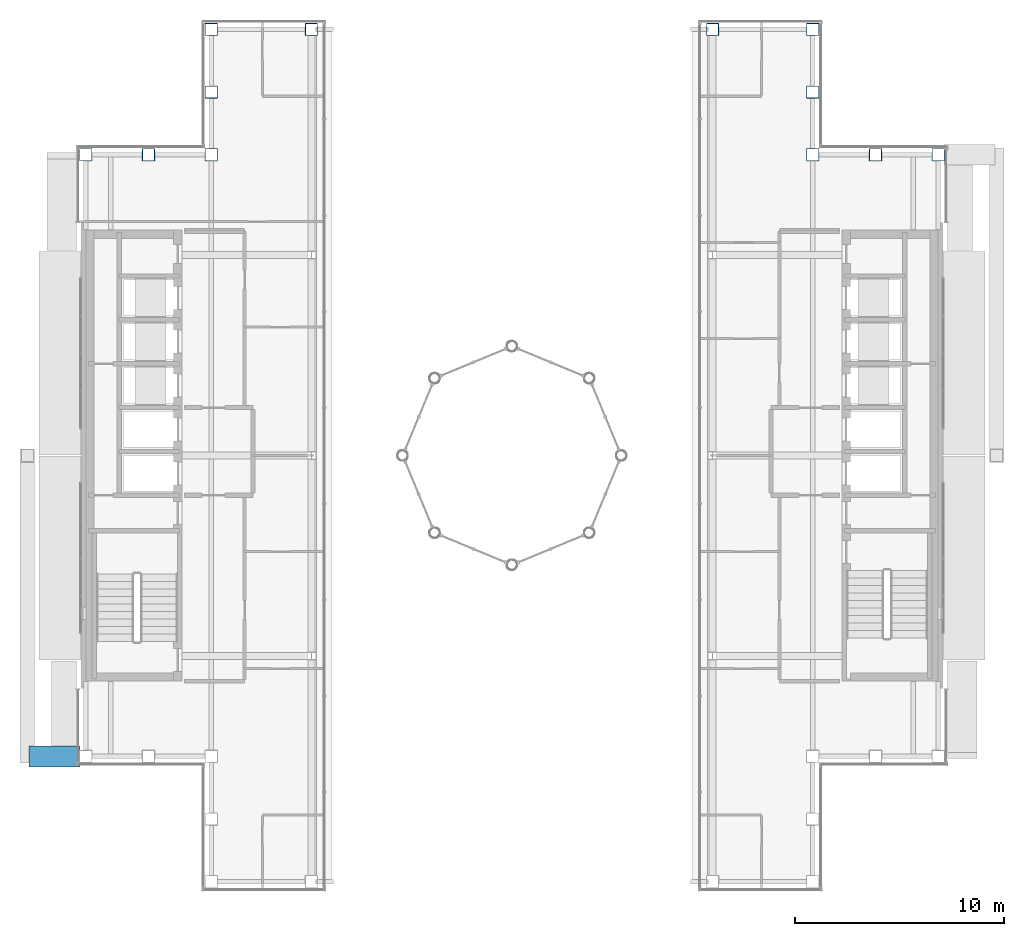
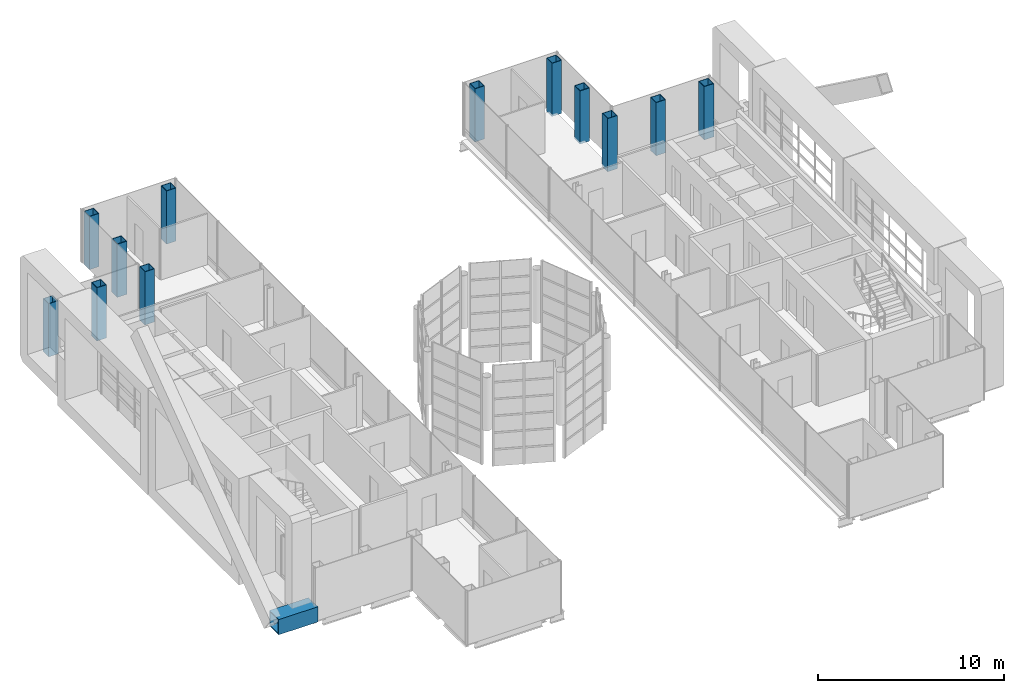
# One storey, part 3 of 21: 12 columns, 1 beam.
"""IFC4 building model written with IfcOpenShell, lengths in metres."""

from ifc_helpers import new_model, si_unit, direction, frame, origin, origin_2d, place, context, subcontext, project, spatial, hollow_rectangle, extrude, material, material_profile, profile_set, type_object, element, save


model = new_model("IFC4")

# Units and contexts
model_context = context("Model", 3, precision=1e-05, world=origin(), true_north=direction((0.0, 1.0)))
body_context = subcontext(model_context, "Body", "Model", "MODEL_VIEW")
ifc_project = project(units=[si_unit("LENGTHUNIT", "METRE"), si_unit("AREAUNIT", "SQUARE_METRE"), si_unit("VOLUMEUNIT", "CUBIC_METRE"), si_unit("PLANEANGLEUNIT", "RADIAN"), si_unit("MASSUNIT", "GRAM", prefix="KILO")], contexts=[model_context])

# Site, building, storey
site_placement = place(None, origin())
site = spatial("IfcSite", under=ifc_project, at=site_placement, CompositionType="ELEMENT")
building_placement = place(site_placement, origin())
building = spatial("IfcBuilding", under=site, at=building_placement, Name="Cobrizo Arcos Hotel Tower", CompositionType="ELEMENT")
storey_placement = place(building_placement, frame((0.0, 0.0, 276.0)))
storey = spatial("IfcBuildingStorey", under=building, at=storey_placement, Name="L73", CompositionType="ELEMENT", Elevation=276.0)

# Columns
ifc_material = material(Name="Steel ASTM A572 Grade 50", Category="steel")
ifc_material_profile_1 = material_profile(ifc_material, hollow_rectangle(XDim=0.60009765625, YDim=0.60009765625, WallThickness=0.030029296875, at=origin_2d()), Name="BOX 600X600X30")
ifc_profile_set_1 = profile_set([ifc_material_profile_1], Name="Steel ASTM A572 Grade 50")
column_type = type_object("IfcColumnType", Name="BOX 600X600X30 column", PredefinedType="COLUMN", material=ifc_profile_set_1)
for number, where, z_axis, x_axis, name in (
    (1, (-14.39990234375, 20.39990234375, -0.14990234375), (0.0, 0.0, 1.0), (1.0, 0.0, 0.0), "Perimeter column C12, L73, no. 00"),
    (2, (-9.60009765625, 20.39990234375, -0.14990234375), (0.0, 0.0, 1.0), (1.0, 0.0, 0.0), "Perimeter column C12, L73, no. 02"),
    (3, (9.60009765625, 20.39990234375, -0.14990234375), (0.0, 0.0, 1.0), (1.0, 0.0, 0.0), "Perimeter column C12, L73, no. 04"),
    (4, (14.39990234375, 20.39990234375, -0.14990234375), (0.0, 0.0, 1.0), (1.0, 0.0, 0.0), "Perimeter column C12, L73, no. 06"),
    (5, (20.39990234375, 14.39990234375, -0.14990234375), (0.0, 0.0, 1.0), (1.0, 0.0, 0.0), "Perimeter column C12, L73, no. 10"),
    (6, (-20.39990234375, 14.39990234375, -0.14990234375), (0.0, 0.0, 1.0), (1.0, 0.0, 0.0), "Perimeter column C12, L73, no. 11"),
    (7, (-14.39990234375, 14.39990234375, -0.14990234375), (0.0, 0.0, 1.0), (1.0, 0.0, 0.0), "Perimeter column C12, L73, no. 15"),
    (8, (-14.39990234375, 17.39990234375, -0.14990234375), (0.0, 0.0, 1.0), (1.0, 0.0, 0.0), "Perimeter column C12, L73, no. 16"),
    (9, (-17.39990234375, 14.39990234375, -0.14990234375), (0.0, 0.0, 1.0), (1.0, 0.0, 0.0), "Perimeter column C12, L73, no. 17"),
    (10, (14.39990234375, 14.39990234375, -0.14990234375), (0.0, 0.0, 1.0), (1.0, 0.0, 0.0), "Perimeter column C12, L73, no. 21"),
    (11, (14.39990234375, 17.39990234375, -0.14990234375), (0.0, 0.0, 1.0), (1.0, 0.0, 0.0), "Perimeter column C12, L73, no. 22"),
    (12, (17.39990234375, 14.39990234375, -0.14990234375), (0.0, 0.0, 1.0), (1.0, 0.0, 0.0), "Perimeter column C12, L73, no. 23"),
):
    element("IfcColumn", number, at=place(storey_placement, frame(where, z_axis=z_axis, x_axis=x_axis)), inside=storey, type_object=column_type, Name=name, PredefinedType="COLUMN", context=body_context, shape_type="SweptSolid", body=[
        extrude(hollow_rectangle(XDim=0.60009765625, YDim=0.60009765625, WallThickness=0.030029296875, at=origin_2d()), origin(), (0.0, 0.0, 1.0), 3.5),
    ])

# Beam
ifc_material_profile_2 = material_profile(ifc_material, hollow_rectangle(XDim=1.0, YDim=1.0, WallThickness=0.06005859375, at=origin_2d()), Name="BOX 1000X1000X60")
ifc_profile_set_2 = profile_set([ifc_material_profile_2], Name="Steel ASTM A572 Grade 50")
beam_type = type_object("IfcBeamType", Name="BOX 1000X1000X60 brace connector strut", PredefinedType="BEAM", material=ifc_profile_set_2)
beam_placement = place(storey_placement, frame((-20.68994140625, -14.39990234375, 0.5), z_axis=(-1.0, 0.0, 0.0), x_axis=(0.0, -1.0, 0.0)))
element("IfcBeam", 13, at=beam_placement, inside=storey, type_object=beam_type, Name="Perimeter brace stub BS1, zone Z5, west face, offset -14.40 m, L73", PredefinedType="BEAM", context=body_context, shape_type="SweptSolid", body=[
    extrude(hollow_rectangle(XDim=1.0, YDim=1.0, WallThickness=0.06005859375, at=origin_2d()), origin(), (0.0, 0.0, 1.0), 2.43017578125),
])

save(model, "model.ifc")
